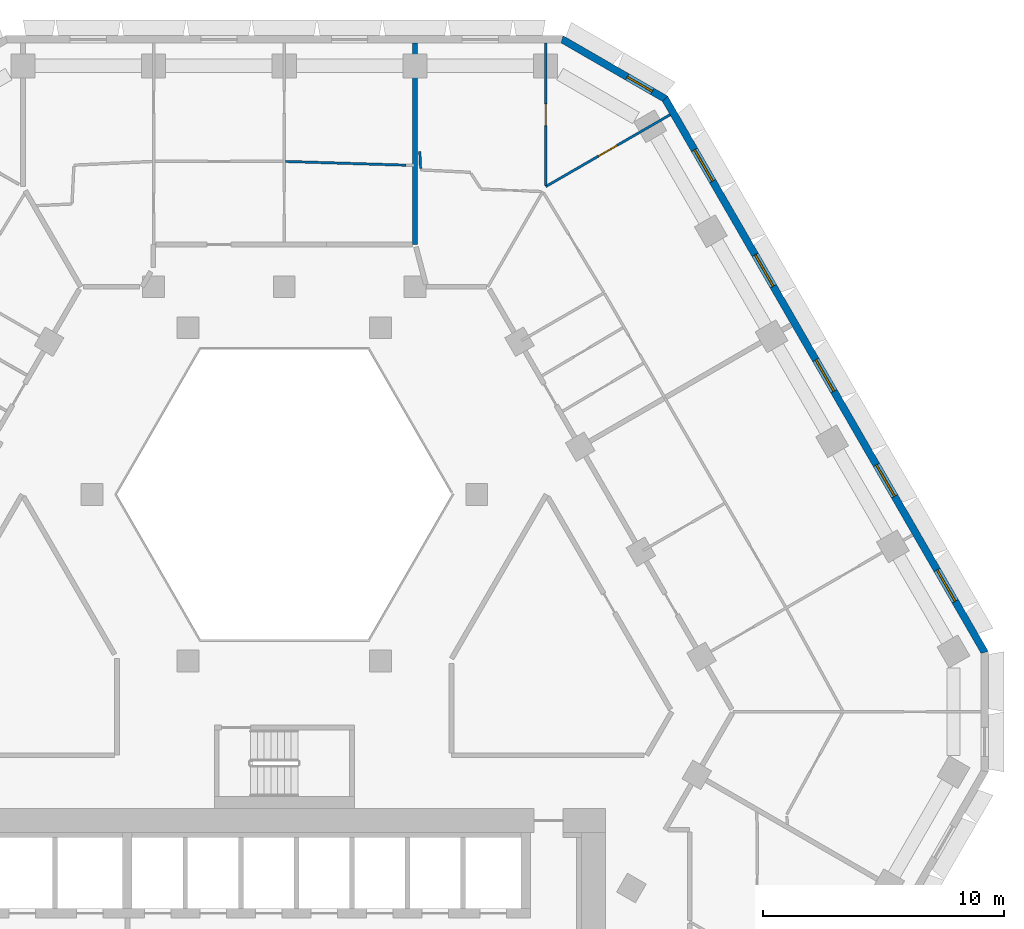
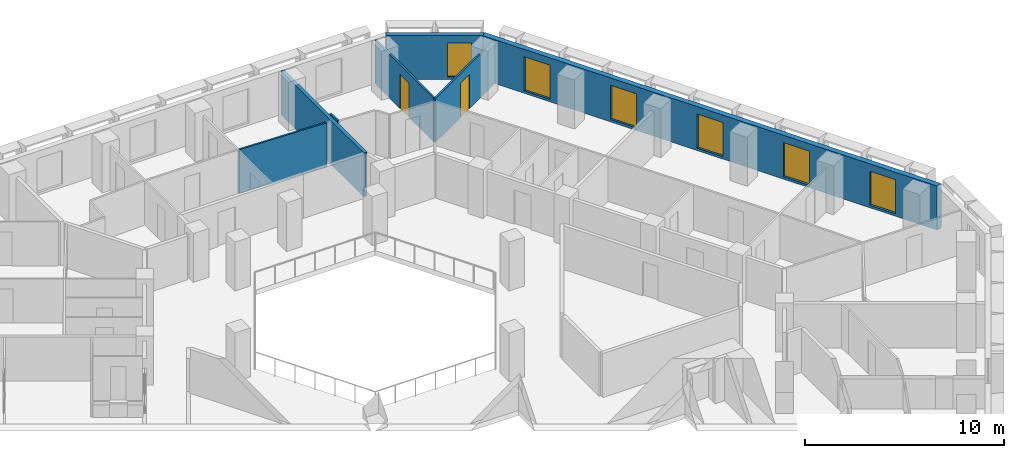
# One storey, part 10 of 16: 7 walls, 6 windows, 2 doors, 8 openings.
"""IFC4 building model written with IfcOpenShell, lengths in metres."""

from ifc_helpers import new_model, si_unit, direction, frame, frame_2d, origin, place, context, subcontext, project, spatial, polyline, rectangle, outline, extrude, material, layer, layer_set, type_object, element, fill, save


model = new_model("IFC4")

# Units and contexts
model_context = context("Model", 3, precision=1e-05, world=origin(), true_north=direction((0.0, 1.0)))
body_context = subcontext(model_context, "Body", "Model", "MODEL_VIEW")
ifc_project = project(units=[si_unit("LENGTHUNIT", "METRE"), si_unit("AREAUNIT", "SQUARE_METRE"), si_unit("VOLUMEUNIT", "CUBIC_METRE"), si_unit("PLANEANGLEUNIT", "RADIAN"), si_unit("MASSUNIT", "GRAM", prefix="KILO")], contexts=[model_context])

# Site, building, storey
site_placement = place(None, origin())
site = spatial("IfcSite", under=ifc_project, at=site_placement, CompositionType="ELEMENT")
building_placement = place(site_placement, origin())
building = spatial("IfcBuilding", under=site, at=building_placement, Name="Beryl Residences", CompositionType="ELEMENT")
storey_placement = place(building_placement, frame((0.0, 0.0, 96.0)))
storey = spatial("IfcBuildingStorey", under=building, at=storey_placement, Name="L29", CompositionType="ELEMENT", Elevation=96.0)

# Wall, openings, windows
ifc_material_1 = material(Name="Composite metal panel with mineral wool insulation")
ifc_layer_1 = layer(ifc_material_1, 0.300048828125)
ifc_layer_set_1 = layer_set([ifc_layer_1], Name="ES1 pale metal composite panel wall 300 mm")
wall_type_1 = type_object("IfcWallType", Name="ES1 pale metal composite panel wall 300 mm", PredefinedType="SOLIDWALL", material=ifc_layer_set_1)
wall_1_placement = place(storey_placement, frame((29.027099609375, 1.425048828125, 0.0), z_axis=(0.0, 0.0, 1.0), x_axis=(-0.500027479704, 0.866009537788, 0.0)))
wall_1 = element("IfcWall", 1, at=wall_1_placement, inside=storey, type_object=wall_type_1, Name="ES1 external wall L29 NE", PredefinedType="SOLIDWALL", context=body_context, shape_type="SweptSolid", body=[
    extrude(outline(polyline([(0.0, -0.14990234375), (26.55859375, -0.14990234375), (26.478271484375, 0.14990234375), (0.080322265625, 0.14990234375), (0.0, -0.14990234375)])), origin(), (0.0, 0.0, 1.0), 2.699951171875),
])
opening_1_placement = place(wall_1_placement, frame((2.48291015625, 0.0, 0.14990234375)))
opening_1 = element("IfcOpeningElement", 2, at=opening_1_placement, cuts=wall_1, Name="Opening W1", PredefinedType="OPENING", context=body_context, shape_type="SweptSolid", body=[
    extrude(rectangle(XDim=1.5, YDim=2.10009765625, at=frame_2d((0.75, 1.050048828125))), frame((0.0, 0.159912109375, 0.0), z_axis=(0.0, -1.0, 0.0), x_axis=(1.0, 0.0, 0.0)), (0.0, 0.0, 1.0), 0.320068359375),
])
opening_2_placement = place(wall_1_placement, frame((7.506103515625, 0.0, 0.14990234375)))
opening_2 = element("IfcOpeningElement", 3, at=opening_2_placement, cuts=wall_1, Name="Opening W1", PredefinedType="OPENING", context=body_context, shape_type="SweptSolid", body=[
    extrude(rectangle(XDim=1.5, YDim=2.10009765625, at=frame_2d((0.75, 1.050048828125))), frame((0.0, 0.159912109375, 0.0), z_axis=(0.0, -1.0, 0.0), x_axis=(1.0, 0.0, 0.0)), (0.0, 0.0, 1.0), 0.320068359375),
])
opening_3_placement = place(wall_1_placement, frame((12.529052734375, 0.0, 0.14990234375)))
opening_3 = element("IfcOpeningElement", 4, at=opening_3_placement, cuts=wall_1, Name="Opening W1", PredefinedType="OPENING", context=body_context, shape_type="SweptSolid", body=[
    extrude(rectangle(XDim=1.5, YDim=2.10009765625, at=frame_2d((0.75, 1.050048828125))), frame((0.0, 0.159912109375, 0.0), z_axis=(0.0, -1.0, 0.0), x_axis=(1.0, 0.0, 0.0)), (0.0, 0.0, 1.0), 0.320068359375),
])
opening_4_placement = place(wall_1_placement, frame((17.552001953125, 0.0, 0.14990234375)))
opening_4 = element("IfcOpeningElement", 5, at=opening_4_placement, cuts=wall_1, Name="Opening W1", PredefinedType="OPENING", context=body_context, shape_type="SweptSolid", body=[
    extrude(rectangle(XDim=1.5, YDim=2.10009765625, at=frame_2d((0.75, 1.050048828125))), frame((0.0, 0.159912109375, 0.0), z_axis=(0.0, -1.0, 0.0), x_axis=(1.0, 0.0, 0.0)), (0.0, 0.0, 1.0), 0.320068359375),
])
opening_5_placement = place(wall_1_placement, frame((22.574951171875, 0.0, 0.14990234375)))
opening_5 = element("IfcOpeningElement", 6, at=opening_5_placement, cuts=wall_1, Name="Opening W1", PredefinedType="OPENING", context=body_context, shape_type="SweptSolid", body=[
    extrude(rectangle(XDim=1.5, YDim=2.10009765625, at=frame_2d((0.75, 1.050048828125))), frame((0.0, 0.159912109375, 0.0), z_axis=(0.0, -1.0, 0.0), x_axis=(1.0, 0.0, 0.0)), (0.0, 0.0, 1.0), 0.320068359375),
])
ifc_material_2 = material(Name="Aluminium and clear glass", Category="aluminium")
window_type_1 = type_object("IfcWindowType", Name="W1 cell window 1500 x 2100 mm", PartitioningType="SINGLE_PANEL", PredefinedType="WINDOW", material=ifc_material_2)
window_1_placement = place(opening_1_placement, origin())
window_1 = element("IfcWindow", 7, at=window_1_placement, inside=storey, type_object=window_type_1, Name="W1 window L29 NE 2", OverallHeight=2.10009765625, OverallWidth=1.5, PartitioningType="SINGLE_PANEL", PredefinedType="WINDOW", context=body_context, shape_type="SweptSolid", body=[
    extrude(rectangle(XDim=1.5, YDim=2.10009765625, at=frame_2d((0.75, 1.050048828125))), frame((0.0, 0.030029296875, 0.0), z_axis=(0.0, -1.0, 0.0), x_axis=(1.0, 0.0, 0.0)), (0.0, 0.0, 1.0), 0.06005859375),
])
fill(opening_1, window_1)
window_2_placement = place(opening_2_placement, origin())
window_2 = element("IfcWindow", 8, at=window_2_placement, inside=storey, type_object=window_type_1, Name="W1 window L29 NE 4", OverallHeight=2.10009765625, OverallWidth=1.5, PartitioningType="SINGLE_PANEL", PredefinedType="WINDOW", context=body_context, shape_type="SweptSolid", body=[
    extrude(rectangle(XDim=1.5, YDim=2.10009765625, at=frame_2d((0.75, 1.050048828125))), frame((0.0, 0.030029296875, 0.0), z_axis=(0.0, -1.0, 0.0), x_axis=(1.0, 0.0, 0.0)), (0.0, 0.0, 1.0), 0.06005859375),
])
fill(opening_2, window_2)
window_3_placement = place(opening_3_placement, origin())
window_3 = element("IfcWindow", 9, at=window_3_placement, inside=storey, type_object=window_type_1, Name="W1 window L29 NE 6", OverallHeight=2.10009765625, OverallWidth=1.5, PartitioningType="SINGLE_PANEL", PredefinedType="WINDOW", context=body_context, shape_type="SweptSolid", body=[
    extrude(rectangle(XDim=1.5, YDim=2.10009765625, at=frame_2d((0.75, 1.050048828125))), frame((0.0, 0.030029296875, 0.0), z_axis=(0.0, -1.0, 0.0), x_axis=(1.0, 0.0, 0.0)), (0.0, 0.0, 1.0), 0.06005859375),
])
fill(opening_3, window_3)
window_4_placement = place(opening_4_placement, origin())
window_4 = element("IfcWindow", 10, at=window_4_placement, inside=storey, type_object=window_type_1, Name="W1 window L29 NE 8", OverallHeight=2.10009765625, OverallWidth=1.5, PartitioningType="SINGLE_PANEL", PredefinedType="WINDOW", context=body_context, shape_type="SweptSolid", body=[
    extrude(rectangle(XDim=1.5, YDim=2.10009765625, at=frame_2d((0.75, 1.050048828125))), frame((0.0, 0.030029296875, 0.0), z_axis=(0.0, -1.0, 0.0), x_axis=(1.0, 0.0, 0.0)), (0.0, 0.0, 1.0), 0.06005859375),
])
fill(opening_4, window_4)
window_5_placement = place(opening_5_placement, origin())
window_5 = element("IfcWindow", 11, at=window_5_placement, inside=storey, type_object=window_type_1, Name="W1 window L29 NE 10", OverallHeight=2.10009765625, OverallWidth=1.5, PartitioningType="SINGLE_PANEL", PredefinedType="WINDOW", context=body_context, shape_type="SweptSolid", body=[
    extrude(rectangle(XDim=1.5, YDim=2.10009765625, at=frame_2d((0.75, 1.050048828125))), frame((0.0, 0.030029296875, 0.0), z_axis=(0.0, -1.0, 0.0), x_axis=(1.0, 0.0, 0.0)), (0.0, 0.0, 1.0), 0.06005859375),
])
fill(opening_5, window_5)

# Wall, opening, window
wall_2_placement = place(storey_placement, frame((15.802001953125, 24.3701171875, 0.0), z_axis=(0.0, 0.0, 1.0), x_axis=(-0.866022959057, 0.500004234368, 0.0)))
wall_2 = element("IfcWall", 12, at=wall_2_placement, inside=storey, type_object=wall_type_1, Name="ES1 external wall L29 NE-N", PredefinedType="SOLIDWALL", context=body_context, shape_type="SweptSolid", body=[
    extrude(outline(polyline([(0.0, -0.14990234375), (5.0, -0.14990234375), (4.919677734375, 0.14990234375), (0.080322265625, 0.14990234375), (0.0, -0.14990234375)])), origin(), (0.0, 0.0, 1.0), 2.699951171875),
])
opening_6_placement = place(wall_2_placement, frame((0.64990234375, 0.0, 0.14990234375)))
opening_6 = element("IfcOpeningElement", 13, at=opening_6_placement, cuts=wall_2, Name="Opening W2", PredefinedType="OPENING", context=body_context, shape_type="SweptSolid", body=[
    extrude(rectangle(XDim=1.199951171875, YDim=2.10009765625, at=frame_2d((0.60009765625, 1.050048828125))), frame((0.0, 0.159912109375, 0.0), z_axis=(0.0, -1.0, 0.0), x_axis=(1.0, 0.0, 0.0)), (0.0, 0.0, 1.0), 0.320068359375),
])
ifc_material_3 = material(Name="Aluminium and clear glass", Category="aluminium")
window_type_2 = type_object("IfcWindowType", Name="W2 chamfer window 1200 x 2100 mm", PartitioningType="SINGLE_PANEL", PredefinedType="WINDOW", material=ifc_material_3)
window_6_placement = place(opening_6_placement, origin())
window_6 = element("IfcWindow", 14, at=window_6_placement, inside=storey, type_object=window_type_2, Name="W2 window L29 NE-N 1", OverallHeight=2.10009765625, OverallWidth=1.199951171875, PartitioningType="SINGLE_PANEL", PredefinedType="WINDOW", context=body_context, shape_type="SweptSolid", body=[
    extrude(rectangle(XDim=1.199951171875, YDim=2.10009765625, at=frame_2d((0.60009765625, 1.050048828125))), frame((0.0, 0.030029296875, 0.0), z_axis=(0.0, -1.0, 0.0), x_axis=(1.0, 0.0, 0.0)), (0.0, 0.0, 1.0), 0.06005859375),
])
fill(opening_6, window_6)

# Walls
ifc_material_4 = material(Name="Gypsum board partition on steel studs", Category="steel")
ifc_layer_2 = layer(ifc_material_4, 0.10009765625)
ifc_layer_set_2 = layer_set([ifc_layer_2], Name="PT1 partition 100 mm gypsum board on steel studs")
wall_type_2 = type_object("IfcWallType", Name="PT1 partition 100 mm gypsum board on steel studs", PredefinedType="PARTITIONING", material=ifc_layer_set_2)
wall_3_placement = place(storey_placement, frame((5.611083984375, 22.2119140625, 0.0), z_axis=(0.0, 0.0, 1.0), x_axis=(0.048368650834, -0.998829551834, 0.0)))
element("IfcWall", 15, at=wall_3_placement, inside=storey, type_object=wall_type_2, Name="Wall PT1 L29 007", PredefinedType="PARTITIONING", context=body_context, shape_type="SweptSolid", body=[
    extrude(rectangle(XDim=0.7216796875, YDim=0.10009765625, at=frame_2d((0.36083984375, 0.0))), origin(), (0.0, 0.0, 1.0), 2.699951171875),
])
wall_4_placement = place(storey_placement, frame((0.049072265625, 21.7919921875, 0.0), z_axis=(0.0, 0.0, 1.0), x_axis=(0.999517123417, -0.031072817652, 0.0)))
element("IfcWall", 16, at=wall_4_placement, inside=storey, type_object=wall_type_2, Name="Wall PT1 L29 014", PredefinedType="PARTITIONING", context=body_context, shape_type="SweptSolid", body=[
    extrude(rectangle(XDim=4.9892578125, YDim=0.10009765625, at=frame_2d((2.49462890625, 0.0))), origin(), (0.0, 0.0, 1.0), 2.699951171875),
])

# Wall, opening, door
wall_5_placement = place(storey_placement, frame((10.824951171875, 20.805908203125, 0.0), z_axis=(0.0, 0.0, 1.0), x_axis=(0.0, 1.0, 0.0)))
wall_5 = element("IfcWall", 17, at=wall_5_placement, inside=storey, type_object=wall_type_2, Name="Wall PT1 L29 049", PredefinedType="PARTITIONING", context=body_context, shape_type="SweptSolid", body=[
    extrude(rectangle(XDim=5.89404296875, YDim=0.10009765625, at=frame_2d((2.947021484375, 0.0))), origin(), (0.0, 0.0, 1.0), 2.699951171875),
])
opening_7_placement = place(wall_5_placement, frame((2.468017578125, 0.0, 0.0)))
opening_7 = element("IfcOpeningElement", 18, at=opening_7_placement, cuts=wall_5, Name="Opening D0929", PredefinedType="OPENING", context=body_context, shape_type="SweptSolid", body=[
    extrude(rectangle(XDim=0.89990234375, YDim=2.10009765625, at=frame_2d((0.449951171875, 1.050048828125))), frame((0.0, 0.06005859375, 0.0), z_axis=(0.0, -1.0, 0.0), x_axis=(1.0, 0.0, 0.0)), (0.0, 0.0, 1.0), 0.1201171875),
])
ifc_material_5 = material(Name="Timber door leaf", Category="wood")
door_type = type_object("IfcDoorType", Name="D2 room door 900 x 2100 mm", OperationType="SINGLE_SWING_LEFT", PredefinedType="DOOR", material=ifc_material_5)
door_1_placement = place(opening_7_placement, origin())
door_1 = element("IfcDoor", 19, at=door_1_placement, inside=storey, type_object=door_type, Name="Door D0929 L29 001", OperationType="SINGLE_SWING_LEFT", OverallHeight=2.10009765625, OverallWidth=0.89990234375, PredefinedType="DOOR", context=body_context, shape_type="SweptSolid", body=[
    extrude(rectangle(XDim=0.89990234375, YDim=2.10009765625, at=frame_2d((0.449951171875, 1.050048828125))), frame((0.0, 0.02490234375, 0.0), z_axis=(0.0, -1.0, 0.0), x_axis=(1.0, 0.0, 0.0)), (0.0, 0.0, 1.0), 0.050048828125),
])
fill(opening_7, door_1)

wall_6_placement = place(storey_placement, frame((10.825927734375, 20.75, 0.0), z_axis=(0.0, 0.0, 1.0), x_axis=(0.865986712877, 0.50006700863, 0.0)))
wall_6 = element("IfcWall", 20, at=wall_6_placement, inside=storey, type_object=wall_type_2, Name="Wall PT1 L29 066", PredefinedType="PARTITIONING", context=body_context, shape_type="SweptSolid", body=[
    extrude(rectangle(XDim=5.949462890625, YDim=0.10009765625, at=frame_2d((2.974609375, 0.0))), origin(), (0.0, 0.0, 1.0), 2.699951171875),
])
opening_8_placement = place(wall_6_placement, frame((2.52392578125, 0.0, 0.0)))
opening_8 = element("IfcOpeningElement", 21, at=opening_8_placement, cuts=wall_6, Name="Opening D0927", PredefinedType="OPENING", context=body_context, shape_type="SweptSolid", body=[
    extrude(rectangle(XDim=0.89990234375, YDim=2.10009765625, at=frame_2d((0.449951171875, 1.050048828125))), frame((0.0, 0.06005859375, 0.0), z_axis=(0.0, -1.0, 0.0), x_axis=(1.0, 0.0, 0.0)), (0.0, 0.0, 1.0), 0.1201171875),
])
door_2_placement = place(opening_8_placement, origin())
door_2 = element("IfcDoor", 22, at=door_2_placement, inside=storey, type_object=door_type, Name="Door D0927 L29 001", OperationType="SINGLE_SWING_LEFT", OverallHeight=2.10009765625, OverallWidth=0.89990234375, PredefinedType="DOOR", context=body_context, shape_type="SweptSolid", body=[
    extrude(rectangle(XDim=0.89990234375, YDim=2.10009765625, at=frame_2d((0.449951171875, 1.050048828125))), frame((0.0, 0.02490234375, 0.0), z_axis=(0.0, -1.0, 0.0), x_axis=(1.0, 0.0, 0.0)), (0.0, 0.0, 1.0), 0.050048828125),
])
fill(opening_8, door_2)

# Wall
ifc_material_6 = material(Name="Acoustic double stud gypsum board wall")
ifc_layer_3 = layer(ifc_material_6, 0.199951171875)
ifc_layer_set_3 = layer_set([ifc_layer_3], Name="PT3 party wall 200 mm acoustic double stud")
wall_type_3 = type_object("IfcWallType", Name="PT3 party wall 200 mm acoustic double stud", PredefinedType="PARTITIONING", material=ifc_layer_set_3)
wall_7_placement = place(storey_placement, frame((5.412109375, 18.34912109375, 0.0), z_axis=(0.0, 0.0, 1.0), x_axis=(0.0, 1.0, 0.0)))
element("IfcWall", 23, at=wall_7_placement, inside=storey, type_object=wall_type_3, Name="Wall PT3 L29 006", PredefinedType="PARTITIONING", context=body_context, shape_type="SweptSolid", body=[
    extrude(rectangle(XDim=8.350830078125, YDim=0.199951171875, at=frame_2d((4.17529296875, 0.0))), origin(), (0.0, 0.0, 1.0), 2.699951171875),
])

save(model, "model.ifc")
